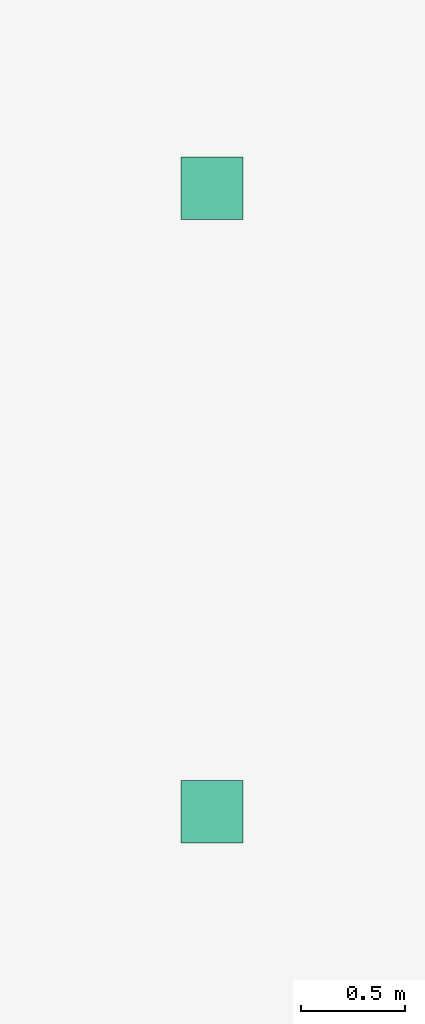
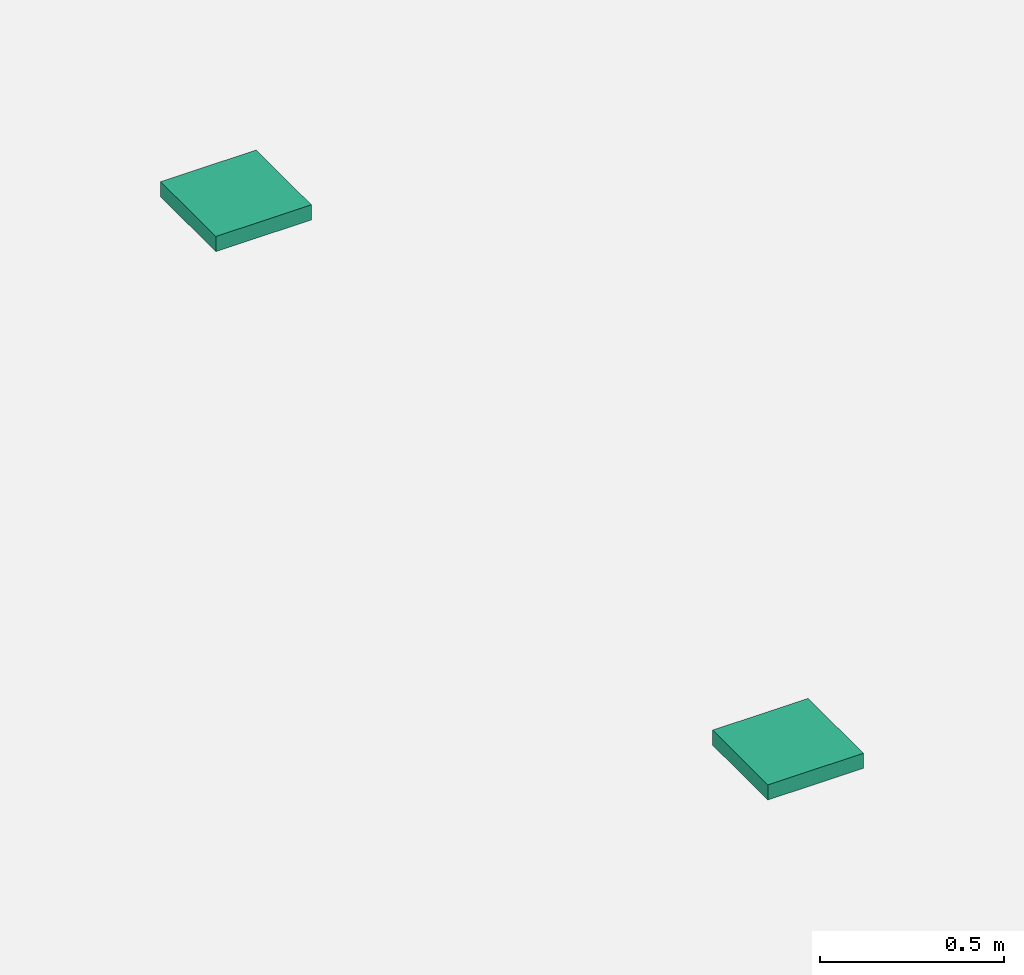
# One storey, part 21 of 21: 2 waste terminals.
"""IFC4 building model written with IfcOpenShell, lengths in metres."""

from ifc_helpers import new_model, si_unit, direction, frame, origin, origin_2d, place, context, subcontext, project, spatial, rectangle, extrude, material, type_object, element, save


model = new_model("IFC4")

# Units and contexts
model_context = context("Model", 3, precision=1e-05, world=origin(), true_north=direction((0.0, 1.0)))
body_context = subcontext(model_context, "Body", "Model", "MODEL_VIEW")
ifc_project = project(units=[si_unit("LENGTHUNIT", "METRE"), si_unit("AREAUNIT", "SQUARE_METRE"), si_unit("VOLUMEUNIT", "CUBIC_METRE"), si_unit("PLANEANGLEUNIT", "RADIAN"), si_unit("MASSUNIT", "GRAM", prefix="KILO")], contexts=[model_context])

# Site, building, storey
site_placement = place(None, origin())
site = spatial("IfcSite", under=ifc_project, at=site_placement, CompositionType="ELEMENT")
building_placement = place(site_placement, origin())
building = spatial("IfcBuilding", under=site, at=building_placement, Name="Tskaro Facet Tower", CompositionType="ELEMENT")
storey_placement = place(building_placement, frame((0.0, 0.0, 172.199951171875)))
storey = spatial("IfcBuildingStorey", under=building, at=storey_placement, Name="L42", CompositionType="ELEMENT", Elevation=172.199951171875)

# Waste terminals
ifc_material = material(Name="Cast aluminium EN AC-42100", Category="aluminium")
waste_terminal_type = type_object("IfcWasteTerminalType", Name="Roof drain", PredefinedType="ROOFDRAIN", material=ifc_material)
for number, where, z_axis, x_axis, name in (
    (1, (21.469970703125, -12.27392578125, 0.0498046875), (0.0, 0.0, 1.0), (1.0, 0.0, 0.0), "Roof drain L42 1.1"),
    (2, (21.469970703125, -9.27392578125, 0.0498046875), (0.0, 0.0, 1.0), (1.0, 0.0, 0.0), "Roof drain L42 1.2"),
):
    element("IfcWasteTerminal", number, at=place(storey_placement, frame(where, z_axis=z_axis, x_axis=x_axis)), inside=storey, type_object=waste_terminal_type, Name=name, PredefinedType="ROOFDRAIN", context=body_context, shape_type="SweptSolid", body=[
        extrude(rectangle(XDim=0.300048828125, YDim=0.300048828125, at=origin_2d()), origin(), (0.0, 0.0, 1.0), 0.050048828125),
    ])

save(model, "model.ifc")
